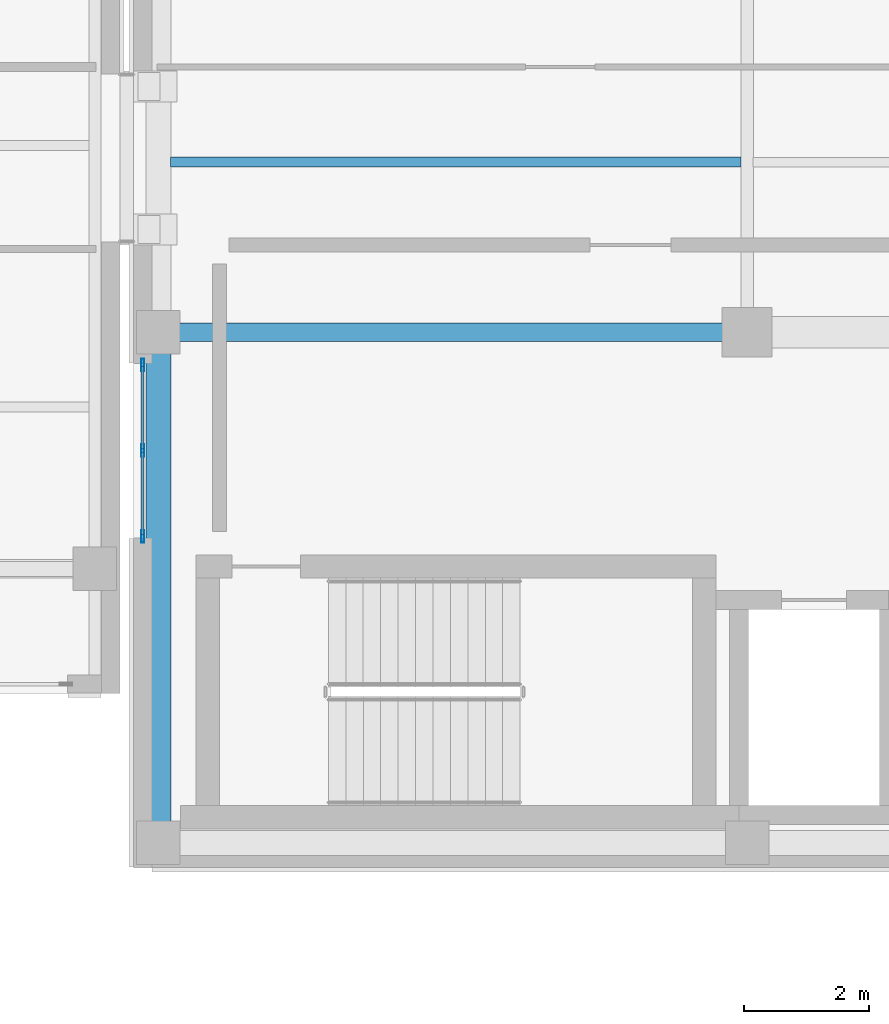
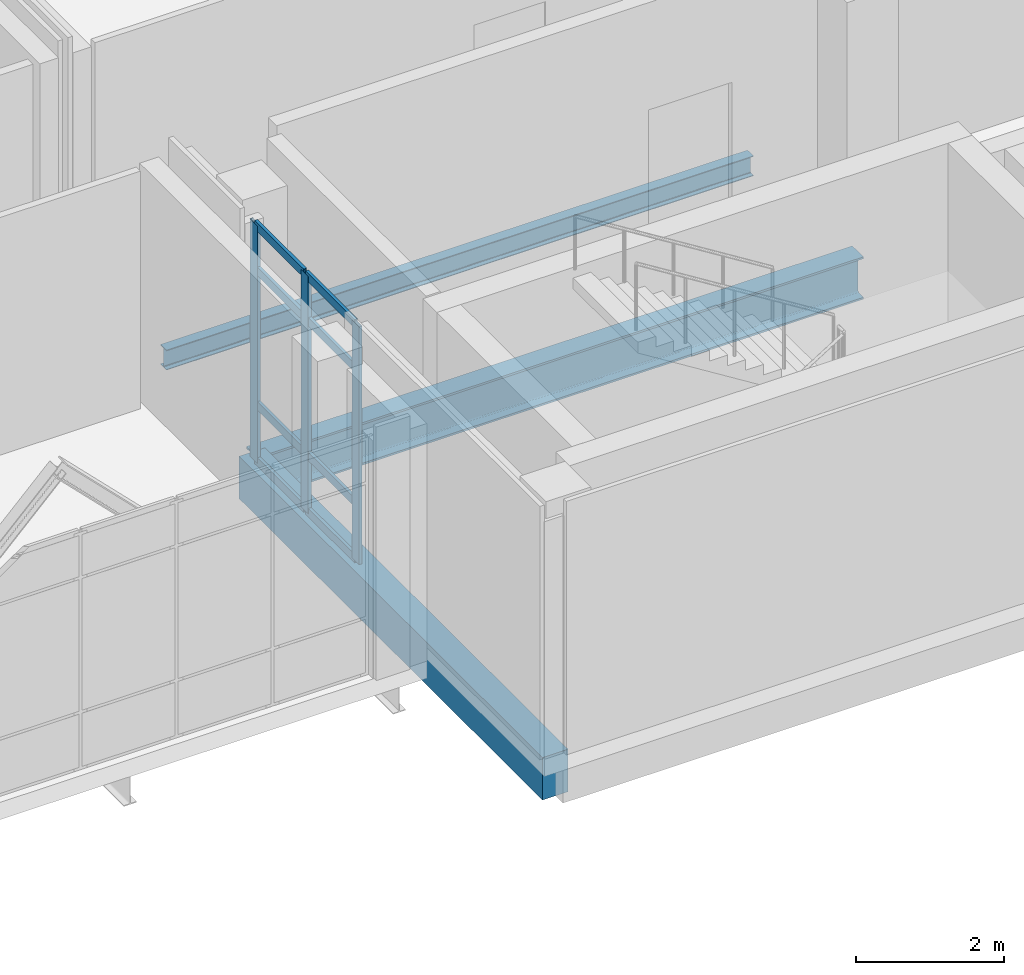
# One storey, part 10 of 165: 11 members, 3 beams, 1 element without a shape of its own.
"""IFC4 building model written with IfcOpenShell, lengths in metres."""

from ifc_helpers import new_model, si_unit, direction, frame, origin, origin_2d, place, context, subcontext, project, spatial, rectangle, hollow_rectangle, i_section, extrude, material, layer, layer_set, material_profile, profile_set, type_object, element, aggregate, save


model = new_model("IFC4")

# Units and contexts
model_context = context("Model", 3, precision=1e-05, world=origin(), true_north=direction((0.0, 1.0)))
body_context = subcontext(model_context, "Body", "Model", "MODEL_VIEW")
ifc_project = project(units=[si_unit("LENGTHUNIT", "METRE"), si_unit("AREAUNIT", "SQUARE_METRE"), si_unit("VOLUMEUNIT", "CUBIC_METRE"), si_unit("PLANEANGLEUNIT", "RADIAN"), si_unit("MASSUNIT", "GRAM", prefix="KILO")], contexts=[model_context])

# Site, building, storey
site_placement = place(None, origin())
site = spatial("IfcSite", under=ifc_project, at=site_placement, CompositionType="ELEMENT")
building_placement = place(site_placement, origin())
building = spatial("IfcBuilding", under=site, at=building_placement, Name="Qalavern Law Courts", CompositionType="ELEMENT")
storey_placement = place(building_placement, frame((0.0, 0.0, 14.39990234375)))
storey = spatial("IfcBuildingStorey", under=building, at=storey_placement, Name="L03", CompositionType="ELEMENT", Elevation=14.39990234375)

# Curtain wall, members
ifc_material_1 = material(Name="Anodised aluminium and insulated glazing", Category="aluminium")
ifc_layer = layer(ifc_material_1, 0.18505859375)
ifc_layer_set = layer_set([ifc_layer], Name="Anodised aluminium and insulated glazing")
curtain_wall_type = type_object("IfcCurtainWallType", Name="ENV-CW-HALL", PredefinedType="USERDEFINED", material=ifc_layer_set)
curtain_wall_placement = place(storey_placement, origin())
curtain_wall = element("IfcCurtainWall", 1, at=curtain_wall_placement, inside=storey, type_object=curtain_wall_type, Name="V2 unitised curtain wall L03 west 1", ObjectType="UNITISED CURTAIN WALL", PredefinedType="USERDEFINED")
ifc_material_2 = material(Name="Anodised aluminium", Category="aluminium")
ifc_material_profile_1 = material_profile(ifc_material_2, hollow_rectangle(XDim=0.048095703125, YDim=0.199951171875, WallThickness=0.00439453125, at=origin_2d()), Name="ALU MULLION 48x200")
ifc_profile_set_1 = profile_set([ifc_material_profile_1], Name="Anodised aluminium")
member_type_1 = type_object("IfcMemberType", Name="ENV-CWM-48x200", PredefinedType="MULLION", material=ifc_profile_set_1)
member_1_placement = place(storey_placement, frame((34.367431640625, 13.27587890625, 0.0), z_axis=(0.0, 0.0, 1.0), x_axis=(1.0, 0.0, 0.0)))
member_1 = element("IfcMember", 2, at=member_1_placement, type_object=member_type_1, Name="CW-02 mullion 1", PredefinedType="MULLION", context=body_context, shape_type="SweptSolid", body=[
    extrude(hollow_rectangle(XDim=0.048095703125, YDim=0.199951171875, WallThickness=0.00439453125, at=origin_2d()), origin(), (0.0, 0.0, 1.0), 3.920166015625),
])
member_2_placement = place(storey_placement, frame((34.367431640625, 11.89990234375, 0.0), z_axis=(0.0, 0.0, 1.0), x_axis=(1.0, 0.0, 0.0)))
member_2 = element("IfcMember", 3, at=member_2_placement, type_object=member_type_1, Name="CW-02 mullion 2", PredefinedType="MULLION", context=body_context, shape_type="SweptSolid", body=[
    extrude(hollow_rectangle(XDim=0.048095703125, YDim=0.199951171875, WallThickness=0.00439453125, at=origin_2d()), origin(), (0.0, 0.0, 1.0), 3.920166015625),
])
member_3_placement = place(storey_placement, frame((34.367431640625, 10.52392578125, 0.0), z_axis=(0.0, 0.0, 1.0), x_axis=(1.0, 0.0, 0.0)))
member_3 = element("IfcMember", 4, at=member_3_placement, type_object=member_type_1, Name="CW-02 mullion 3", PredefinedType="MULLION", context=body_context, shape_type="SweptSolid", body=[
    extrude(hollow_rectangle(XDim=0.048095703125, YDim=0.199951171875, WallThickness=0.00439453125, at=origin_2d()), origin(), (0.0, 0.0, 1.0), 3.920166015625),
])
ifc_material_profile_2 = material_profile(ifc_material_2, hollow_rectangle(XDim=0.048095703125, YDim=0.139892578125, WallThickness=0.00390625, at=origin_2d()), Name="ALU TRANSOM 48x140")
ifc_profile_set_2 = profile_set([ifc_material_profile_2], Name="Anodised aluminium")
member_type_2 = type_object("IfcMemberType", Name="ENV-CWT-48x140", PredefinedType="USERDEFINED", material=ifc_profile_set_2)
member_4_placement = place(storey_placement, frame((34.367431640625, 13.251953125, 0.024169921875), z_axis=(0.0, -1.0, 0.0), x_axis=(1.0, 0.0, 0.0)))
member_4 = element("IfcMember", 5, at=member_4_placement, type_object=member_type_2, Name="CW-02 transom 1.1", ObjectType="TRANSOM", PredefinedType="USERDEFINED", context=body_context, shape_type="SweptSolid", body=[
    extrude(hollow_rectangle(XDim=0.048095703125, YDim=0.139892578125, WallThickness=0.00390625, at=origin_2d()), origin(), (0.0, 0.0, 1.0), 1.327880859375),
])
member_5_placement = place(storey_placement, frame((34.367431640625, 13.251953125, 0.9501953125), z_axis=(0.0, -1.0, 0.0), x_axis=(1.0, 0.0, 0.0)))
member_5 = element("IfcMember", 6, at=member_5_placement, type_object=member_type_2, Name="CW-02 transom 1.2", ObjectType="TRANSOM", PredefinedType="USERDEFINED", context=body_context, shape_type="SweptSolid", body=[
    extrude(hollow_rectangle(XDim=0.048095703125, YDim=0.139892578125, WallThickness=0.00390625, at=origin_2d()), origin(), (0.0, 0.0, 1.0), 1.327880859375),
])
member_6_placement = place(storey_placement, frame((34.367431640625, 13.251953125, 3.170166015625), z_axis=(0.0, -1.0, 0.0), x_axis=(1.0, 0.0, 0.0)))
member_6 = element("IfcMember", 7, at=member_6_placement, type_object=member_type_2, Name="CW-02 transom 1.3", ObjectType="TRANSOM", PredefinedType="USERDEFINED", context=body_context, shape_type="SweptSolid", body=[
    extrude(hollow_rectangle(XDim=0.048095703125, YDim=0.139892578125, WallThickness=0.00390625, at=origin_2d()), origin(), (0.0, 0.0, 1.0), 1.327880859375),
])
member_7_placement = place(storey_placement, frame((34.367431640625, 13.251953125, 3.89599609375), z_axis=(0.0, -1.0, 0.0), x_axis=(1.0, 0.0, 0.0)))
member_7 = element("IfcMember", 8, at=member_7_placement, type_object=member_type_2, Name="CW-02 transom 1.4", ObjectType="TRANSOM", PredefinedType="USERDEFINED", context=body_context, shape_type="SweptSolid", body=[
    extrude(hollow_rectangle(XDim=0.048095703125, YDim=0.139892578125, WallThickness=0.00390625, at=origin_2d()), origin(), (0.0, 0.0, 1.0), 1.327880859375),
])
member_8_placement = place(storey_placement, frame((34.367431640625, 11.8759765625, 0.024169921875), z_axis=(0.0, -1.0, 0.0), x_axis=(1.0, 0.0, 0.0)))
member_8 = element("IfcMember", 9, at=member_8_placement, type_object=member_type_2, Name="CW-02 transom 2.1", ObjectType="TRANSOM", PredefinedType="USERDEFINED", context=body_context, shape_type="SweptSolid", body=[
    extrude(hollow_rectangle(XDim=0.048095703125, YDim=0.139892578125, WallThickness=0.00390625, at=origin_2d()), origin(), (0.0, 0.0, 1.0), 1.327880859375),
])
member_9_placement = place(storey_placement, frame((34.367431640625, 11.8759765625, 0.9501953125), z_axis=(0.0, -1.0, 0.0), x_axis=(1.0, 0.0, 0.0)))
member_9 = element("IfcMember", 10, at=member_9_placement, type_object=member_type_2, Name="CW-02 transom 2.2", ObjectType="TRANSOM", PredefinedType="USERDEFINED", context=body_context, shape_type="SweptSolid", body=[
    extrude(hollow_rectangle(XDim=0.048095703125, YDim=0.139892578125, WallThickness=0.00390625, at=origin_2d()), origin(), (0.0, 0.0, 1.0), 1.327880859375),
])
member_10_placement = place(storey_placement, frame((34.367431640625, 11.8759765625, 3.170166015625), z_axis=(0.0, -1.0, 0.0), x_axis=(1.0, 0.0, 0.0)))
member_10 = element("IfcMember", 11, at=member_10_placement, type_object=member_type_2, Name="CW-02 transom 2.3", ObjectType="TRANSOM", PredefinedType="USERDEFINED", context=body_context, shape_type="SweptSolid", body=[
    extrude(hollow_rectangle(XDim=0.048095703125, YDim=0.139892578125, WallThickness=0.00390625, at=origin_2d()), origin(), (0.0, 0.0, 1.0), 1.327880859375),
])
member_11_placement = place(storey_placement, frame((34.367431640625, 11.8759765625, 3.89599609375), z_axis=(0.0, -1.0, 0.0), x_axis=(1.0, 0.0, 0.0)))
member_11 = element("IfcMember", 12, at=member_11_placement, type_object=member_type_2, Name="CW-02 transom 2.4", ObjectType="TRANSOM", PredefinedType="USERDEFINED", context=body_context, shape_type="SweptSolid", body=[
    extrude(hollow_rectangle(XDim=0.048095703125, YDim=0.139892578125, WallThickness=0.00390625, at=origin_2d()), origin(), (0.0, 0.0, 1.0), 1.327880859375),
])
aggregate(curtain_wall, [member_1, member_2, member_3, member_4, member_5, member_6, member_7, member_8, member_9, member_10, member_11])

# Beams
ifc_material_3 = material(Name="Steel S355", Category="steel")
ifc_material_profile_3 = material_profile(ifc_material_3, i_section(OverallWidth=0.300048828125, OverallDepth=0.699951171875, WebThickness=0.01708984375, FlangeThickness=0.031982421875, FilletRadius=0.027099609375, at=origin_2d()), Name="HEB 700")
ifc_profile_set_3 = profile_set([ifc_material_profile_3], Name="Steel S355")
beam_type_1 = type_object("IfcBeamType", Name="STR-BM-HEB700", PredefinedType="BEAM", material=ifc_profile_set_3)
beam_1_placement = place(storey_placement, frame((34.6201171875, 13.800048828125, -0.635009765625), z_axis=(1.0, 0.0, 0.0), x_axis=(0.0, 1.0, 0.0)))
element("IfcBeam", 13, at=beam_1_placement, inside=storey, type_object=beam_type_1, Name="V2 X-beam 2-1 L03", PredefinedType="BEAM", context=body_context, shape_type="SweptSolid", body=[
    extrude(i_section(OverallWidth=0.300048828125, OverallDepth=0.699951171875, WebThickness=0.01708984375, FlangeThickness=0.031982421875, FilletRadius=0.027099609375, at=origin_2d()), origin(), (0.0, 0.0, 1.0), 9.4541015625),
])
ifc_material_profile_4 = material_profile(ifc_material_3, i_section(OverallWidth=0.159912109375, OverallDepth=0.330078125, WebThickness=0.007568359375, FlangeThickness=0.011474609375, FilletRadius=0.01806640625, at=origin_2d()), Name="IPE 330")
ifc_profile_set_4 = profile_set([ifc_material_profile_4], Name="Steel S355")
beam_type_2 = type_object("IfcBeamType", Name="STR-JST-IPE330", PredefinedType="JOIST", material=ifc_profile_set_4)
beam_2_placement = place(storey_placement, frame((34.818115234375, 16.533203125, -0.449951171875), z_axis=(1.0, 0.0, 0.0), x_axis=(0.0, 1.0, 0.0)))
element("IfcBeam", 14, at=beam_2_placement, inside=storey, type_object=beam_type_2, Name="V2 secondary joist 1.2.1 L03", PredefinedType="JOIST", context=body_context, shape_type="SweptSolid", body=[
    extrude(i_section(OverallWidth=0.159912109375, OverallDepth=0.330078125, WebThickness=0.007568359375, FlangeThickness=0.011474609375, FilletRadius=0.01806640625, at=origin_2d()), origin(), (0.0, 0.0, 1.0), 9.158203125),
])
ifc_material_4 = material(Name="Concrete C40/50", Category="concrete")
ifc_material_profile_5 = material_profile(ifc_material_4, rectangle(XDim=0.39990234375, YDim=0.699951171875, at=origin_2d()), Name="RC 400x700")
ifc_profile_set_5 = profile_set([ifc_material_profile_5], Name="Concrete C40/50")
beam_type_3 = type_object("IfcBeamType", Name="STR-SP-RC400x700", PredefinedType="SPANDREL", material=ifc_profile_set_5)
beam_3_placement = place(storey_placement, frame((34.6201171875, 5.60009765625, -0.635009765625), z_axis=(0.0, 1.0, 0.0), x_axis=(-1.0, 0.0, 0.0)))
element("IfcBeam", 15, at=beam_3_placement, inside=storey, type_object=beam_type_3, Name="V2 Y-beam 1-1 L03", PredefinedType="SPANDREL", context=body_context, shape_type="SweptSolid", body=[
    extrude(rectangle(XDim=0.39990234375, YDim=0.699951171875, at=origin_2d()), origin(), (0.0, 0.0, 1.0), 8.199951171875),
])

save(model, "model.ifc")
